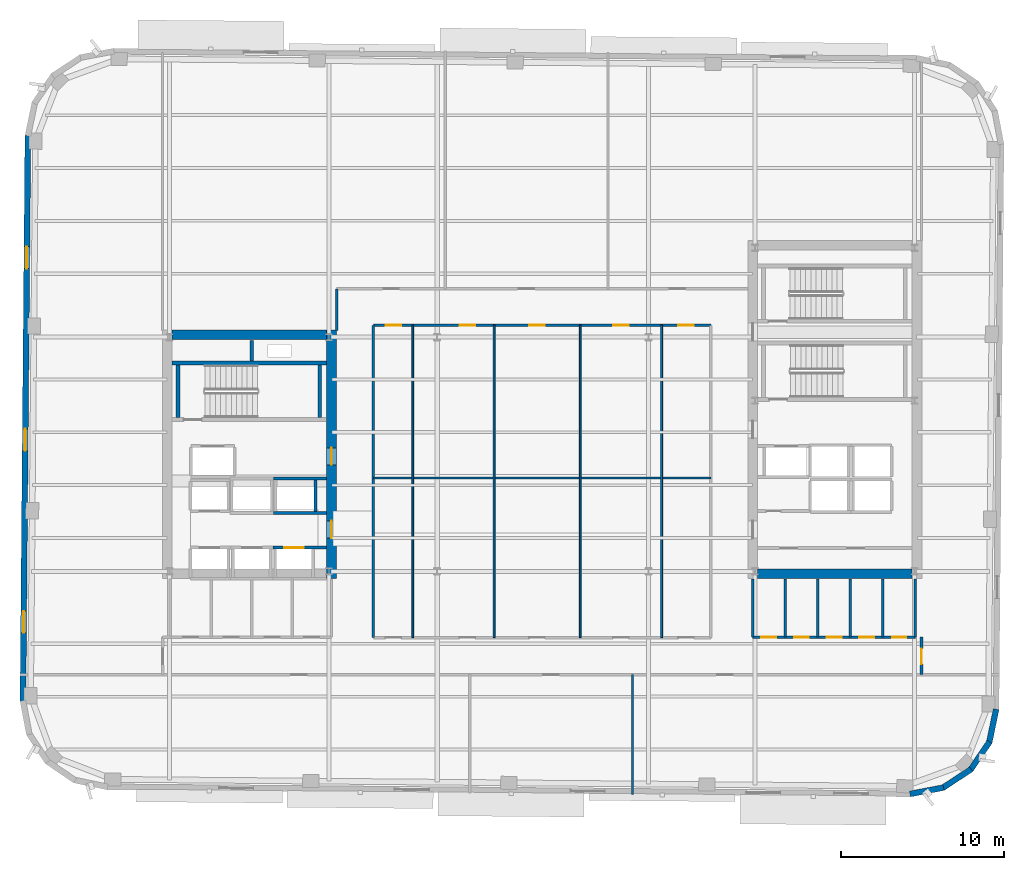
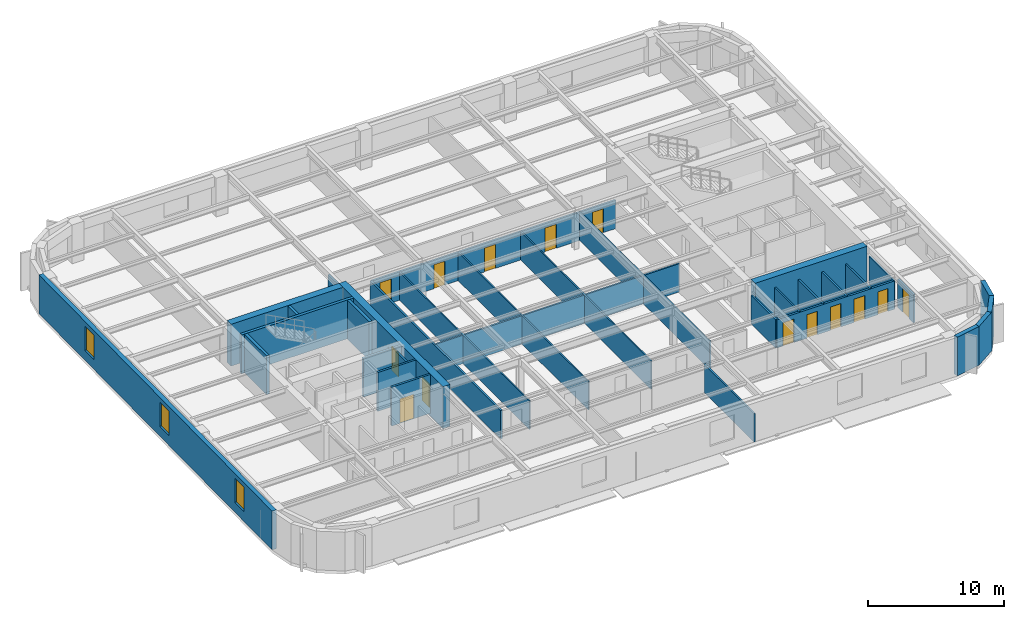
# One storey, part 5 of 12: 33 walls, 14 doors, 3 windows, 17 openings.
"""IFC4 building model written with IfcOpenShell, lengths in metres."""

from ifc_helpers import new_model, si_unit, direction, frame, frame_2d, origin, place, context, subcontext, project, spatial, rectangle, extrude, material, layer, layer_set, type_object, element, fill, save


model = new_model("IFC4")

# Units and contexts
model_context = context("Model", 3, precision=1e-05, world=origin(), true_north=direction((0.0, 1.0)))
body_context = subcontext(model_context, "Body", "Model", "MODEL_VIEW")
ifc_project = project(units=[si_unit("LENGTHUNIT", "METRE"), si_unit("AREAUNIT", "SQUARE_METRE"), si_unit("VOLUMEUNIT", "CUBIC_METRE"), si_unit("PLANEANGLEUNIT", "RADIAN"), si_unit("MASSUNIT", "GRAM", prefix="KILO")], contexts=[model_context])

# Site, building, storey
site_placement = place(None, origin())
site = spatial("IfcSite", under=ifc_project, at=site_placement, CompositionType="ELEMENT")
building_placement = place(site_placement, origin())
building = spatial("IfcBuilding", under=site, at=building_placement, Name="Kolvaren Arena Tower", CompositionType="ELEMENT")
storey_placement = place(building_placement, frame((0.0, 0.0, 165.949951171875)))
storey = spatial("IfcBuildingStorey", under=building, at=storey_placement, Name="L39", CompositionType="ELEMENT", Elevation=165.949951171875)

# Wall
ifc_material_1 = material(Name="Gypsum board acoustic assembly", Category="gypsum")
ifc_layer_1 = layer(ifc_material_1, 0.159912109375)
ifc_layer_set_1 = layer_set([ifc_layer_1], Name="Gypsum board acoustic assembly")
wall_type_1 = type_object("IfcWallType", Name="CORR-160", PredefinedType="PARTITIONING", material=ifc_layer_set_1)
wall_1_placement = place(storey_placement, frame((24.820068359375, 34.25, 0.0), z_axis=(0.0, 0.0, 1.0), x_axis=(0.0, 1.0, 0.0)))
element("IfcWall", 1, at=wall_1_placement, inside=storey, type_object=wall_type_1, Name="Interior Partition Wall (L39)", PredefinedType="PARTITIONING", context=body_context, shape_type="SweptSolid", body=[
    extrude(rectangle(XDim=2.570068359375, YDim=0.159912109375, at=frame_2d((1.28515625, 0.0))), origin(), (0.0, 0.0, 1.0), 2.5400390625),
])

# Wall, openings, doors
wall_2_placement = place(storey_placement, frame((27.080078125, 34.580078125, 0.0), z_axis=(0.0, 0.0, 1.0), x_axis=(1.0, 0.0, 0.0)))
wall_2 = element("IfcWall", 2, at=wall_2_placement, inside=storey, type_object=wall_type_1, Name="Interior Partition Wall (L39)", PredefinedType="PARTITIONING", context=body_context, shape_type="SweptSolid", body=[
    extrude(rectangle(XDim=20.739990234375, YDim=0.159912109375, at=frame_2d((10.3701171875, 0.0))), origin(), (0.0, 0.0, 1.0), 2.5400390625),
])
opening_1_placement = place(wall_2_placement, frame((0.7451171875, 0.0, 0.0)))
opening_1 = element("IfcOpeningElement", 3, at=opening_1_placement, cuts=wall_2, Name="Opening D05", PredefinedType="OPENING", context=body_context, shape_type="SweptSolid", body=[
    extrude(rectangle(XDim=0.949951171875, YDim=2.14990234375, at=frame_2d((0.47509765625, 1.074951171875))), frame((0.0, 0.08984375, 0.0), z_axis=(0.0, -1.0, 0.0), x_axis=(1.0, 0.0, 0.0)), (0.0, 0.0, 1.0), 0.179931640625),
])
opening_2_placement = place(wall_2_placement, frame((5.294921875, 0.0, 0.0)))
opening_2 = element("IfcOpeningElement", 4, at=opening_2_placement, cuts=wall_2, Name="Opening D05", PredefinedType="OPENING", context=body_context, shape_type="SweptSolid", body=[
    extrude(rectangle(XDim=0.949951171875, YDim=2.14990234375, at=frame_2d((0.47509765625, 1.074951171875))), frame((0.0, 0.08984375, 0.0), z_axis=(0.0, -1.0, 0.0), x_axis=(1.0, 0.0, 0.0)), (0.0, 0.0, 1.0), 0.179931640625),
])
opening_3_placement = place(wall_2_placement, frame((9.594970703125, 0.0, 0.0)))
opening_3 = element("IfcOpeningElement", 5, at=opening_3_placement, cuts=wall_2, Name="Opening D05", PredefinedType="OPENING", context=body_context, shape_type="SweptSolid", body=[
    extrude(rectangle(XDim=0.949951171875, YDim=2.14990234375, at=frame_2d((0.47509765625, 1.074951171875))), frame((0.0, 0.08984375, 0.0), z_axis=(0.0, -1.0, 0.0), x_axis=(1.0, 0.0, 0.0)), (0.0, 0.0, 1.0), 0.179931640625),
])
opening_4_placement = place(wall_2_placement, frame((14.7451171875, 0.0, 0.0)))
opening_4 = element("IfcOpeningElement", 6, at=opening_4_placement, cuts=wall_2, Name="Opening D05", PredefinedType="OPENING", context=body_context, shape_type="SweptSolid", body=[
    extrude(rectangle(XDim=0.949951171875, YDim=2.14990234375, at=frame_2d((0.47509765625, 1.074951171875))), frame((0.0, 0.08984375, 0.0), z_axis=(0.0, -1.0, 0.0), x_axis=(1.0, 0.0, 0.0)), (0.0, 0.0, 1.0), 0.179931640625),
])
opening_5_placement = place(wall_2_placement, frame((18.7451171875, 0.0, 0.0)))
opening_5 = element("IfcOpeningElement", 7, at=opening_5_placement, cuts=wall_2, Name="Opening D05", PredefinedType="OPENING", context=body_context, shape_type="SweptSolid", body=[
    extrude(rectangle(XDim=0.949951171875, YDim=2.14990234375, at=frame_2d((0.47509765625, 1.074951171875))), frame((0.0, 0.08984375, 0.0), z_axis=(0.0, -1.0, 0.0), x_axis=(1.0, 0.0, 0.0)), (0.0, 0.0, 1.0), 0.179931640625),
])
ifc_material_2 = material(Name="Solid-core oak acoustic office door", Category="wood")
door_type_1 = type_object("IfcDoorType", Name="DOOR-OF-095", OperationType="NOTDEFINED", PredefinedType="DOOR", material=ifc_material_2)
door_1_placement = place(opening_1_placement, origin())
door_1 = element("IfcDoor", 8, at=door_1_placement, inside=storey, type_object=door_type_1, Name="Design Studio Door (L39)", OperationType="SINGLE_SWING_LEFT", OverallHeight=2.14990234375, OverallWidth=0.949951171875, PredefinedType="DOOR", context=body_context, shape_type="SweptSolid", body=[
    extrude(rectangle(XDim=0.949951171875, YDim=2.14990234375, at=frame_2d((0.47509765625, 1.074951171875))), frame((0.0, 0.02490234375, 0.0), z_axis=(0.0, -1.0, 0.0), x_axis=(1.0, 0.0, 0.0)), (0.0, 0.0, 1.0), 0.050048828125),
])
fill(opening_1, door_1)
door_2_placement = place(opening_2_placement, origin())
door_2 = element("IfcDoor", 9, at=door_2_placement, inside=storey, type_object=door_type_1, Name="Design Studio Door (L39)", OperationType="SINGLE_SWING_LEFT", OverallHeight=2.14990234375, OverallWidth=0.949951171875, PredefinedType="DOOR", context=body_context, shape_type="SweptSolid", body=[
    extrude(rectangle(XDim=0.949951171875, YDim=2.14990234375, at=frame_2d((0.47509765625, 1.074951171875))), frame((0.0, 0.02490234375, 0.0), z_axis=(0.0, -1.0, 0.0), x_axis=(1.0, 0.0, 0.0)), (0.0, 0.0, 1.0), 0.050048828125),
])
fill(opening_2, door_2)
door_3_placement = place(opening_3_placement, origin())
door_3 = element("IfcDoor", 10, at=door_3_placement, inside=storey, type_object=door_type_1, Name="Boardroom Door (L39)", OperationType="SINGLE_SWING_LEFT", OverallHeight=2.14990234375, OverallWidth=0.949951171875, PredefinedType="DOOR", context=body_context, shape_type="SweptSolid", body=[
    extrude(rectangle(XDim=0.949951171875, YDim=2.14990234375, at=frame_2d((0.47509765625, 1.074951171875))), frame((0.0, 0.02490234375, 0.0), z_axis=(0.0, -1.0, 0.0), x_axis=(1.0, 0.0, 0.0)), (0.0, 0.0, 1.0), 0.050048828125),
])
fill(opening_3, door_3)
door_4_placement = place(opening_4_placement, origin())
door_4 = element("IfcDoor", 11, at=door_4_placement, inside=storey, type_object=door_type_1, Name="Design Studio Door (L39)", OperationType="SINGLE_SWING_LEFT", OverallHeight=2.14990234375, OverallWidth=0.949951171875, PredefinedType="DOOR", context=body_context, shape_type="SweptSolid", body=[
    extrude(rectangle(XDim=0.949951171875, YDim=2.14990234375, at=frame_2d((0.47509765625, 1.074951171875))), frame((0.0, 0.02490234375, 0.0), z_axis=(0.0, -1.0, 0.0), x_axis=(1.0, 0.0, 0.0)), (0.0, 0.0, 1.0), 0.050048828125),
])
fill(opening_4, door_4)
door_5_placement = place(opening_5_placement, origin())
door_5 = element("IfcDoor", 12, at=door_5_placement, inside=storey, type_object=door_type_1, Name="Design Studio Door (L39)", OperationType="SINGLE_SWING_LEFT", OverallHeight=2.14990234375, OverallWidth=0.949951171875, PredefinedType="DOOR", context=body_context, shape_type="SweptSolid", body=[
    extrude(rectangle(XDim=0.949951171875, YDim=2.14990234375, at=frame_2d((0.47509765625, 1.074951171875))), frame((0.0, 0.02490234375, 0.0), z_axis=(0.0, -1.0, 0.0), x_axis=(1.0, 0.0, 0.0)), (0.0, 0.0, 1.0), 0.050048828125),
])
fill(opening_5, door_5)

# Wall
wall_3_placement = place(storey_placement, frame((27.080078125, 15.3798828125, 0.0), z_axis=(0.0, 0.0, 1.0), x_axis=(0.0, 1.0, 0.0)))
element("IfcWall", 13, at=wall_3_placement, inside=storey, type_object=wall_type_1, Name="Interior Partition Wall (L39)", PredefinedType="PARTITIONING", context=body_context, shape_type="SweptSolid", body=[
    extrude(rectangle(XDim=19.2001953125, YDim=0.159912109375, at=frame_2d((9.60009765625, 0.0))), origin(), (0.0, 0.0, 1.0), 2.5400390625),
])

# Wall, opening, door
wall_4_placement = place(storey_placement, frame((60.780029296875, 13.10009765625, 0.0), z_axis=(0.0, 0.0, 1.0), x_axis=(0.0, 1.0, 0.0)))
wall_4 = element("IfcWall", 14, at=wall_4_placement, inside=storey, type_object=wall_type_1, Name="Interior Partition Wall (L39)", PredefinedType="PARTITIONING", context=body_context, shape_type="SweptSolid", body=[
    extrude(rectangle(XDim=2.2998046875, YDim=0.159912109375, at=frame_2d((1.14990234375, 0.0))), origin(), (0.0, 0.0, 1.0), 2.5400390625),
])
opening_6_placement = place(wall_4_placement, frame((0.64990234375, 0.0, 0.0)))
opening_6 = element("IfcOpeningElement", 15, at=opening_6_placement, cuts=wall_4, Name="Opening D05", PredefinedType="OPENING", context=body_context, shape_type="SweptSolid", body=[
    extrude(rectangle(XDim=0.949951171875, YDim=2.14990234375, at=frame_2d((0.47509765625, 1.074951171875))), frame((0.0, 0.08984375, 0.0), z_axis=(0.0, -1.0, 0.0), x_axis=(1.0, 0.0, 0.0)), (0.0, 0.0, 1.0), 0.179931640625),
])
door_6_placement = place(opening_6_placement, origin())
door_6 = element("IfcDoor", 16, at=door_6_placement, inside=storey, type_object=door_type_1, Name="East Wing Studio Door (L39)", OperationType="SINGLE_SWING_RIGHT", OverallHeight=2.14990234375, OverallWidth=0.949951171875, PredefinedType="DOOR", context=body_context, shape_type="SweptSolid", body=[
    extrude(rectangle(XDim=0.949951171875, YDim=2.14990234375, at=frame_2d((0.47509765625, 1.074951171875))), frame((0.0, 0.02490234375, 0.0), z_axis=(0.0, -1.0, 0.0), x_axis=(1.0, 0.0, 0.0)), (0.0, 0.0, 1.0), 0.050048828125),
])
fill(opening_6, door_6)

# Wall, openings, doors
ifc_material_3 = material(Name="Concrete 60 MPa", Category="concrete")
ifc_layer_2 = layer(ifc_material_3, 0.60009765625)
ifc_layer_set_2 = layer_set([ifc_layer_2], Name="Concrete 60 MPa")
wall_type_2 = type_object("IfcWallType", Name="CWALL-600", PredefinedType="SHEAR", material=ifc_layer_set_2)
wall_5_placement = place(storey_placement, frame((24.5, 19.0, -0.27001953125), z_axis=(0.0, 0.0, 1.0), x_axis=(0.0, 1.0, 0.0)))
wall_5 = element("IfcWall", 17, at=wall_5_placement, inside=storey, type_object=wall_type_2, Name="Core Shear Wall WC-EAST (L39)", PredefinedType="SHEAR", context=body_context, shape_type="SweptSolid", body=[
    extrude(rectangle(XDim=15.300048828125, YDim=0.60009765625, at=frame_2d((7.64990234375, 0.0))), origin(), (0.0, 0.0, 1.0), 3.75),
])
opening_7_placement = place(wall_5_placement, frame((2.5, 0.0, 0.27001953125)))
opening_7 = element("IfcOpeningElement", 18, at=opening_7_placement, cuts=wall_5, Name="Opening D04", PredefinedType="OPENING", context=body_context, shape_type="SweptSolid", body=[
    extrude(rectangle(XDim=1.050048828125, YDim=2.14990234375, at=frame_2d((0.52490234375, 1.074951171875))), frame((0.0, 0.31005859375, 0.0), z_axis=(0.0, -1.0, 0.0), x_axis=(1.0, 0.0, 0.0)), (0.0, 0.0, 1.0), 0.6201171875),
])
opening_8_placement = place(wall_5_placement, frame((7.0, 0.0, 0.27001953125)))
opening_8 = element("IfcOpeningElement", 19, at=opening_8_placement, cuts=wall_5, Name="Opening D04", PredefinedType="OPENING", context=body_context, shape_type="SweptSolid", body=[
    extrude(rectangle(XDim=1.050048828125, YDim=2.14990234375, at=frame_2d((0.52490234375, 1.074951171875))), frame((0.0, 0.31005859375, 0.0), z_axis=(0.0, -1.0, 0.0), x_axis=(1.0, 0.0, 0.0)), (0.0, 0.0, 1.0), 0.6201171875),
])
ifc_material_4 = material(Name="Fire-rated steel lobby door", Category="steel")
door_type_2 = type_object("IfcDoorType", Name="DOOR-FF-105", OperationType="NOTDEFINED", PredefinedType="DOOR", material=ifc_material_4)
door_7_placement = place(opening_7_placement, origin())
door_7 = element("IfcDoor", 20, at=door_7_placement, inside=storey, type_object=door_type_2, Name="West Lift Lobby Fire Door (L39)", OperationType="SINGLE_SWING_LEFT", OverallHeight=2.14990234375, OverallWidth=1.050048828125, PredefinedType="DOOR", context=body_context, shape_type="SweptSolid", body=[
    extrude(rectangle(XDim=1.050048828125, YDim=2.14990234375, at=frame_2d((0.52490234375, 1.074951171875))), frame((0.0, 0.02490234375, 0.0), z_axis=(0.0, -1.0, 0.0), x_axis=(1.0, 0.0, 0.0)), (0.0, 0.0, 1.0), 0.050048828125),
])
fill(opening_7, door_7)
door_8_placement = place(opening_8_placement, origin())
door_8 = element("IfcDoor", 21, at=door_8_placement, inside=storey, type_object=door_type_2, Name="West Firefighter Vestibule Door (L39)", OperationType="SINGLE_SWING_RIGHT", OverallHeight=2.14990234375, OverallWidth=1.050048828125, PredefinedType="DOOR", context=body_context, shape_type="SweptSolid", body=[
    extrude(rectangle(XDim=1.050048828125, YDim=2.14990234375, at=frame_2d((0.52490234375, 1.074951171875))), frame((0.0, 0.02490234375, 0.0), z_axis=(0.0, -1.0, 0.0), x_axis=(1.0, 0.0, 0.0)), (0.0, 0.0, 1.0), 0.050048828125),
])
fill(opening_8, door_8)

# Walls
for number, where, z_axis, x_axis, name in (
    (22, (14.699951171875, 34.0, -0.27001953125), (0.0, 0.0, 1.0), (1.0, 0.0, 0.0), "Core Shear Wall WC-NORTH (L39)"),
    (23, (50.699951171875, 19.300048828125, -0.27001953125), (0.0, 0.0, 1.0), (1.0, 0.0, 0.0), "Core Shear Wall EC-SOUTH (L39)"),
):
    element("IfcWall", number, at=place(storey_placement, frame(where, z_axis=z_axis, x_axis=x_axis)), inside=storey, type_object=wall_type_2, Name=name, PredefinedType="SHEAR", context=body_context, shape_type="SweptSolid", body=[
        extrude(rectangle(XDim=9.5, YDim=0.60009765625, at=frame_2d((4.75, 0.0))), origin(), (0.0, 0.0, 1.0), 3.75),
    ])
ifc_material_5 = material(Name="Precast concrete C50/60", Category="concrete")
ifc_layer_3 = layer(ifc_material_5, 0.360107421875)
ifc_layer_set_3 = layer_set([ifc_layer_3], Name="Precast concrete C50/60")
wall_type_3 = type_object("IfcWallType", Name="EXT-PIER2", PredefinedType="SOLIDWALL", material=ifc_layer_set_3)
wall_6_placement = place(storey_placement, frame((62.136474609375, 6.155029296875, 0.0), z_axis=(0.0, 0.0, 1.0), x_axis=(-0.98246713518, -0.186435855703, 0.0)))
element("IfcWall", 24, at=wall_6_placement, inside=storey, type_object=wall_type_3, Name="Exterior Precast Masonry-Frame Wall (L39)", PredefinedType="SOLIDWALL", context=body_context, shape_type="SweptSolid", body=[
    extrude(rectangle(XDim=2.10693359375, YDim=0.360107421875, at=frame_2d((1.053466796875, 0.0))), origin(), (0.0, 0.0, 1.0), 3.47998046875),
])
wall_7_placement = place(storey_placement, frame((63.83349609375, 7.2841796875, 0.0), z_axis=(0.0, 0.0, 1.0), x_axis=(-0.836303589916, -0.548266637224, 0.0)))
element("IfcWall", 25, at=wall_7_placement, inside=storey, type_object=wall_type_3, Name="Exterior Precast Masonry-Frame Wall (L39)", PredefinedType="SOLIDWALL", context=body_context, shape_type="SweptSolid", body=[
    extrude(rectangle(XDim=2.107177734375, YDim=0.360107421875, at=frame_2d((1.0537109375, 0.0))), origin(), (0.0, 0.0, 1.0), 3.47998046875),
])
for number, where, z_axis, x_axis, name in (
    (26, (64.968994140625, 8.9765625, 0.0), (0.0, 0.0, 1.0), (-0.56277581689, -0.826609569219, 0.0), "Exterior Precast Masonry-Frame Wall (L39)"),
    (27, (65.370849609375, 10.974609375, 0.0), (0.0, 0.0, 1.0), (-0.203709000552, -0.979031482177, 0.0), "Exterior Precast Masonry-Frame Wall (L39)"),
):
    element("IfcWall", number, at=place(storey_placement, frame(where, z_axis=z_axis, x_axis=x_axis)), inside=storey, type_object=wall_type_3, Name=name, PredefinedType="SOLIDWALL", context=body_context, shape_type="SweptSolid", body=[
        extrude(rectangle(XDim=2.10693359375, YDim=0.360107421875, at=frame_2d((1.053466796875, 0.0))), origin(), (0.0, 0.0, 1.0), 3.47998046875),
    ])

# Wall, openings, windows
wall_8_placement = place(storey_placement, frame((5.529296875, 11.461669921875, 0.0), z_axis=(0.0, 0.0, 1.0), x_axis=(0.008727287311, 0.999961916503, 0.0)))
wall_8 = element("IfcWall", 28, at=wall_8_placement, inside=storey, type_object=wall_type_3, Name="Exterior Precast Masonry-Frame Wall (L39)", PredefinedType="SOLIDWALL", context=body_context, shape_type="SweptSolid", body=[
    extrude(rectangle(XDim=34.800048828125, YDim=0.360107421875, at=frame_2d((17.39990234375, 0.0))), origin(), (0.0, 0.0, 1.0), 3.47998046875),
])
opening_9_placement = place(wall_8_placement, frame((4.199951171875, 0.0, 0.8798828125)))
opening_9 = element("IfcOpeningElement", 29, at=opening_9_placement, cuts=wall_8, Name="Opening W04", PredefinedType="OPENING", context=body_context, shape_type="SweptSolid", body=[
    extrude(rectangle(XDim=1.35009765625, YDim=2.199951171875, at=frame_2d((0.675048828125, 1.10009765625))), frame((0.0, 0.18994140625, 0.0), z_axis=(0.0, -1.0, 0.0), x_axis=(1.0, 0.0, 0.0)), (0.0, 0.0, 1.0), 0.380126953125),
])
opening_10_placement = place(wall_8_placement, frame((15.39990234375, 0.0, 0.8798828125)))
opening_10 = element("IfcOpeningElement", 30, at=opening_10_placement, cuts=wall_8, Name="Opening W04", PredefinedType="OPENING", context=body_context, shape_type="SweptSolid", body=[
    extrude(rectangle(XDim=1.35009765625, YDim=2.199951171875, at=frame_2d((0.675048828125, 1.10009765625))), frame((0.0, 0.18994140625, 0.0), z_axis=(0.0, -1.0, 0.0), x_axis=(1.0, 0.0, 0.0)), (0.0, 0.0, 1.0), 0.380126953125),
])
opening_11_placement = place(wall_8_placement, frame((26.60009765625, 0.0, 0.8798828125)))
opening_11 = element("IfcOpeningElement", 31, at=opening_11_placement, cuts=wall_8, Name="Opening W04", PredefinedType="OPENING", context=body_context, shape_type="SweptSolid", body=[
    extrude(rectangle(XDim=1.35009765625, YDim=2.199951171875, at=frame_2d((0.675048828125, 1.10009765625))), frame((0.0, 0.18994140625, 0.0), z_axis=(0.0, -1.0, 0.0), x_axis=(1.0, 0.0, 0.0)), (0.0, 0.0, 1.0), 0.380126953125),
])
ifc_material_6 = material(Name="Triple-glazed curved-facet corner window", Category="glass")
window_type = type_object("IfcWindowType", Name="WIN-CRN-A", PartitioningType="SINGLE_PANEL", PredefinedType="WINDOW", material=ifc_material_6)
window_1_placement = place(opening_9_placement, origin())
window_1 = element("IfcWindow", 32, at=window_1_placement, inside=storey, type_object=window_type, Name="End-Wall Punched Window (L39)", OverallHeight=2.199951171875, OverallWidth=1.35009765625, PartitioningType="SINGLE_PANEL", PredefinedType="WINDOW", context=body_context, shape_type="SweptSolid", body=[
    extrude(rectangle(XDim=1.35009765625, YDim=2.199951171875, at=frame_2d((0.675048828125, 1.10009765625))), frame((0.0, 0.030029296875, 0.0), z_axis=(0.0, -1.0, 0.0), x_axis=(1.0, 0.0, 0.0)), (0.0, 0.0, 1.0), 0.06005859375),
])
fill(opening_9, window_1)
window_2_placement = place(opening_10_placement, origin())
window_2 = element("IfcWindow", 33, at=window_2_placement, inside=storey, type_object=window_type, Name="End-Wall Punched Window (L39)", OverallHeight=2.199951171875, OverallWidth=1.35009765625, PartitioningType="SINGLE_PANEL", PredefinedType="WINDOW", context=body_context, shape_type="SweptSolid", body=[
    extrude(rectangle(XDim=1.35009765625, YDim=2.199951171875, at=frame_2d((0.675048828125, 1.10009765625))), frame((0.0, 0.030029296875, 0.0), z_axis=(0.0, -1.0, 0.0), x_axis=(1.0, 0.0, 0.0)), (0.0, 0.0, 1.0), 0.06005859375),
])
fill(opening_10, window_2)
window_3_placement = place(opening_11_placement, origin())
window_3 = element("IfcWindow", 34, at=window_3_placement, inside=storey, type_object=window_type, Name="End-Wall Punched Window (L39)", OverallHeight=2.199951171875, OverallWidth=1.35009765625, PartitioningType="SINGLE_PANEL", PredefinedType="WINDOW", context=body_context, shape_type="SweptSolid", body=[
    extrude(rectangle(XDim=1.35009765625, YDim=2.199951171875, at=frame_2d((0.675048828125, 1.10009765625))), frame((0.0, 0.030029296875, 0.0), z_axis=(0.0, -1.0, 0.0), x_axis=(1.0, 0.0, 0.0)), (0.0, 0.0, 1.0), 0.06005859375),
])
fill(opening_11, window_3)

# Walls
ifc_material_7 = material(Name="Gypsum board partition assembly", Category="gypsum")
ifc_layer_4 = layer(ifc_material_7, 0.114990234375)
ifc_layer_set_4 = layer_set([ifc_layer_4], Name="Gypsum board partition assembly")
wall_type_4 = type_object("IfcWallType", Name="PART-115", PredefinedType="PARTITIONING", material=ifc_layer_set_4)
for number, where, z_axis, x_axis, name in (
    (35, (29.5, 15.3798828125, 0.0), (0.0, 0.0, 1.0), (0.0, 1.0, 0.0), "Interior Partition Wall (L39)"),
    (36, (34.5, 15.3798828125, 0.0), (0.0, 0.0, 1.0), (0.0, 1.0, 0.0), "Interior Partition Wall (L39)"),
    (37, (39.800048828125, 15.3798828125, 0.0), (0.0, 0.0, 1.0), (0.0, 1.0, 0.0), "Interior Partition Wall (L39)"),
    (38, (44.800048828125, 15.3798828125, 0.0), (0.0, 0.0, 1.0), (0.0, 1.0, 0.0), "Interior Partition Wall (L39)"),
):
    element("IfcWall", number, at=place(storey_placement, frame(where, z_axis=z_axis, x_axis=x_axis)), inside=storey, type_object=wall_type_4, Name=name, PredefinedType="PARTITIONING", context=body_context, shape_type="SweptSolid", body=[
        extrude(rectangle(XDim=19.2001953125, YDim=0.114990234375, at=frame_2d((9.60009765625, 0.0))), origin(), (0.0, 0.0, 1.0), 2.5400390625),
    ])
ifc_layer_5 = layer(ifc_material_7, 0.135009765625)
ifc_layer_set_5 = layer_set([ifc_layer_5], Name="Gypsum board partition assembly")
wall_type_5 = type_object("IfcWallType", Name="PART-135", PredefinedType="PARTITIONING", material=ifc_layer_set_5)
wall_9_placement = place(storey_placement, frame((43.0, 5.734619140625, 0.0), z_axis=(0.0, 0.0, 1.0), x_axis=(0.0, 1.0, 0.0)))
element("IfcWall", 39, at=wall_9_placement, inside=storey, type_object=wall_type_5, Name="Interior Partition Wall (L39)", PredefinedType="PARTITIONING", context=body_context, shape_type="SweptSolid", body=[
    extrude(rectangle(XDim=7.365478515625, YDim=0.135009765625, at=frame_2d((3.6826171875, 0.0))), origin(), (0.0, 0.0, 1.0), 2.5400390625),
])
wall_10_placement = place(storey_placement, frame((27.080078125, 25.199951171875, 0.0), z_axis=(0.0, 0.0, 1.0), x_axis=(1.0, 0.0, 0.0)))
element("IfcWall", 40, at=wall_10_placement, inside=storey, type_object=wall_type_5, Name="Interior Partition Wall (L39)", PredefinedType="PARTITIONING", context=body_context, shape_type="SweptSolid", body=[
    extrude(rectangle(XDim=20.739990234375, YDim=0.135009765625, at=frame_2d((10.3701171875, 0.0))), origin(), (0.0, 0.0, 1.0), 2.5400390625),
])
ifc_material_8 = material(Name="Concrete 45 MPa", Category="concrete")
ifc_layer_6 = layer(ifc_material_8, 0.25)
ifc_layer_set_6 = layer_set([ifc_layer_6], Name="Concrete 45 MPa")
wall_type_6 = type_object("IfcWallType", Name="SHAFT-250", PredefinedType="SOLIDWALL", material=ifc_layer_set_6)
wall_11_placement = place(storey_placement, frame((14.699951171875, 32.25, 0.0), z_axis=(0.0, 0.0, 1.0), x_axis=(1.0, 0.0, 0.0)))
element("IfcWall", 41, at=wall_11_placement, inside=storey, type_object=wall_type_6, Name="Core Shaft Wall (L39)", PredefinedType="SOLIDWALL", context=body_context, shape_type="SweptSolid", body=[
    extrude(rectangle(XDim=9.5, YDim=0.239990234375, at=frame_2d((4.75, 0.0))), origin(), (0.0, 0.0, 1.0), 3.47998046875),
])
for number, where, z_axis, x_axis, name in (
    (42, (15.06005859375, 28.89990234375, 0.0), (0.0, 0.0, 1.0), (0.0, 1.0, 0.0), "Core Shaft Wall (L39)"),
    (43, (23.780029296875, 28.89990234375, 0.0), (0.0, 0.0, 1.0), (0.0, 1.0, 0.0), "Core Shaft Wall (L39)"),
):
    element("IfcWall", number, at=place(storey_placement, frame(where, z_axis=z_axis, x_axis=x_axis)), inside=storey, type_object=wall_type_6, Name=name, PredefinedType="SOLIDWALL", context=body_context, shape_type="SweptSolid", body=[
        extrude(rectangle(XDim=3.22998046875, YDim=0.239990234375, at=frame_2d((1.614990234375, 0.0))), origin(), (0.0, 0.0, 1.0), 3.47998046875),
    ])
wall_12_placement = place(storey_placement, frame((19.60009765625, 32.3701171875, 0.0), z_axis=(0.0, 0.0, 1.0), x_axis=(0.0, 1.0, 0.0)))
element("IfcWall", 44, at=wall_12_placement, inside=storey, type_object=wall_type_6, Name="Core Shaft Wall (L39)", PredefinedType="SOLIDWALL", context=body_context, shape_type="SweptSolid", body=[
    extrude(rectangle(XDim=1.27978515625, YDim=0.199951171875, at=frame_2d((0.639892578125, 0.0))), origin(), (0.0, 0.0, 1.0), 3.47998046875),
])

# Wall, opening, door
wall_13_placement = place(storey_placement, frame((20.89990234375, 20.905029296875, 0.0), z_axis=(0.0, 0.0, 1.0), x_axis=(1.0, 0.0, 0.0)))
wall_13 = element("IfcWall", 45, at=wall_13_placement, inside=storey, type_object=wall_type_6, Name="Core Shaft Wall (L39)", PredefinedType="SOLIDWALL", context=body_context, shape_type="SweptSolid", body=[
    extrude(rectangle(XDim=3.300048828125, YDim=0.179931640625, at=frame_2d((1.64990234375, 0.0))), origin(), (0.0, 0.0, 1.0), 3.47998046875),
])
opening_12_placement = place(wall_13_placement, frame((0.699951171875, 0.0, 0.0)))
opening_12 = element("IfcOpeningElement", 46, at=opening_12_placement, cuts=wall_13, Name="Opening LD1", PredefinedType="OPENING", context=body_context, shape_type="SweptSolid", body=[
    extrude(rectangle(XDim=1.199951171875, YDim=2.199951171875, at=frame_2d((0.60009765625, 1.10009765625))), frame((0.0, 0.099853515625, 0.0), z_axis=(0.0, -1.0, 0.0), x_axis=(1.0, 0.0, 0.0)), (0.0, 0.0, 1.0), 0.199951171875),
])
ifc_material_9 = material(Name="Stainless steel passenger lift landing door", Category="steel")
door_type_3 = type_object("IfcDoorType", Name="DOOR-LD-120", OperationType="DOUBLE_DOOR_SLIDING", PredefinedType="DOOR", material=ifc_material_9)
door_9_placement = place(opening_12_placement, origin())
door_9 = element("IfcDoor", 47, at=door_9_placement, inside=storey, type_object=door_type_3, Name="Lift EL-MR3 Landing Door (L39)", OperationType="DOUBLE_DOOR_SLIDING", OverallHeight=2.199951171875, OverallWidth=1.199951171875, PredefinedType="DOOR", context=body_context, shape_type="SweptSolid", body=[
    extrude(rectangle(XDim=1.199951171875, YDim=2.199951171875, at=frame_2d((0.60009765625, 1.10009765625))), frame((0.0, 0.02490234375, 0.0), z_axis=(0.0, -1.0, 0.0), x_axis=(1.0, 0.0, 0.0)), (0.0, 0.0, 1.0), 0.050048828125),
])
fill(opening_12, door_9)

# Walls
for number, where, z_axis, x_axis, name in (
    (48, (20.949951171875, 25.155029296875, 0.0), (0.0, 0.0, 1.0), (1.0, 0.0, 0.0), "Core Shaft Wall (L39)"),
    (49, (20.949951171875, 23.044921875, 0.0), (0.0, 0.0, 1.0), (1.0, 0.0, 0.0), "Core Shaft Wall (L39)"),
):
    element("IfcWall", number, at=place(storey_placement, frame(where, z_axis=z_axis, x_axis=x_axis)), inside=storey, type_object=wall_type_6, Name=name, PredefinedType="SOLIDWALL", context=body_context, shape_type="SweptSolid", body=[
        extrude(rectangle(XDim=3.25, YDim=0.179931640625, at=frame_2d((1.625, 0.0))), origin(), (0.0, 0.0, 1.0), 3.47998046875),
    ])
wall_14_placement = place(storey_placement, frame((23.530029296875, 23.135009765625, 0.0), z_axis=(0.0, 0.0, 1.0), x_axis=(0.0, 1.0, 0.0)))
element("IfcWall", 50, at=wall_14_placement, inside=storey, type_object=wall_type_6, Name="Core Shaft Wall (L39)", PredefinedType="SOLIDWALL", context=body_context, shape_type="SweptSolid", body=[
    extrude(rectangle(XDim=1.929931640625, YDim=0.179931640625, at=frame_2d((0.96484375, 0.0))), origin(), (0.0, 0.0, 1.0), 3.47998046875),
])

# Wall, openings, doors
wall_15_placement = place(storey_placement, frame((50.39990234375, 15.39990234375, 0.0), z_axis=(0.0, 0.0, 1.0), x_axis=(1.0, 0.0, 0.0)))
wall_15 = element("IfcWall", 51, at=wall_15_placement, inside=storey, type_object=wall_type_6, Name="Interior Partition Wall (L39)", PredefinedType="SOLIDWALL", context=body_context, shape_type="SweptSolid", body=[
    extrude(rectangle(XDim=10.0, YDim=0.179931640625, at=frame_2d((5.0, 0.0))), origin(), (0.0, 0.0, 1.0), 2.5400390625),
])
opening_13_placement = place(wall_15_placement, frame((0.5400390625, 0.0, 0.0)))
opening_13 = element("IfcOpeningElement", 52, at=opening_13_placement, cuts=wall_15, Name="Opening D07", PredefinedType="OPENING", context=body_context, shape_type="SweptSolid", body=[
    extrude(rectangle(XDim=0.919921875, YDim=2.10009765625, at=frame_2d((0.4599609375, 1.050048828125))), frame((0.0, 0.099853515625, 0.0), z_axis=(0.0, -1.0, 0.0), x_axis=(1.0, 0.0, 0.0)), (0.0, 0.0, 1.0), 0.199951171875),
])
opening_14_placement = place(wall_15_placement, frame((2.5400390625, 0.0, 0.0)))
opening_14 = element("IfcOpeningElement", 53, at=opening_14_placement, cuts=wall_15, Name="Opening D07", PredefinedType="OPENING", context=body_context, shape_type="SweptSolid", body=[
    extrude(rectangle(XDim=0.919921875, YDim=2.10009765625, at=frame_2d((0.4599609375, 1.050048828125))), frame((0.0, 0.099853515625, 0.0), z_axis=(0.0, -1.0, 0.0), x_axis=(1.0, 0.0, 0.0)), (0.0, 0.0, 1.0), 0.199951171875),
])
opening_15_placement = place(wall_15_placement, frame((4.5400390625, 0.0, 0.0)))
opening_15 = element("IfcOpeningElement", 54, at=opening_15_placement, cuts=wall_15, Name="Opening D07", PredefinedType="OPENING", context=body_context, shape_type="SweptSolid", body=[
    extrude(rectangle(XDim=0.919921875, YDim=2.10009765625, at=frame_2d((0.4599609375, 1.050048828125))), frame((0.0, 0.099853515625, 0.0), z_axis=(0.0, -1.0, 0.0), x_axis=(1.0, 0.0, 0.0)), (0.0, 0.0, 1.0), 0.199951171875),
])
opening_16_placement = place(wall_15_placement, frame((6.5400390625, 0.0, 0.0)))
opening_16 = element("IfcOpeningElement", 55, at=opening_16_placement, cuts=wall_15, Name="Opening D07", PredefinedType="OPENING", context=body_context, shape_type="SweptSolid", body=[
    extrude(rectangle(XDim=0.919921875, YDim=2.10009765625, at=frame_2d((0.4599609375, 1.050048828125))), frame((0.0, 0.099853515625, 0.0), z_axis=(0.0, -1.0, 0.0), x_axis=(1.0, 0.0, 0.0)), (0.0, 0.0, 1.0), 0.199951171875),
])
opening_17_placement = place(wall_15_placement, frame((8.570068359375, 0.0, 0.0)))
opening_17 = element("IfcOpeningElement", 56, at=opening_17_placement, cuts=wall_15, Name="Opening D09", PredefinedType="OPENING", context=body_context, shape_type="SweptSolid", body=[
    extrude(rectangle(XDim=0.860107421875, YDim=2.050048828125, at=frame_2d((0.43017578125, 1.02490234375))), frame((0.0, 0.099853515625, 0.0), z_axis=(0.0, -1.0, 0.0), x_axis=(1.0, 0.0, 0.0)), (0.0, 0.0, 1.0), 0.199951171875),
])
ifc_material_10 = material(Name="Fire-rated steel riser access door", Category="steel")
door_type_4 = type_object("IfcDoorType", Name="DOOR-RS-086", OperationType="NOTDEFINED", PredefinedType="DOOR", material=ifc_material_10)
door_10_placement = place(opening_17_placement, origin())
door_10 = element("IfcDoor", 57, at=door_10_placement, inside=storey, type_object=door_type_4, Name="Telecom Riser Closet Door (L39)", OperationType="SINGLE_SWING_LEFT", OverallHeight=2.050048828125, OverallWidth=0.860107421875, PredefinedType="DOOR", context=body_context, shape_type="SweptSolid", body=[
    extrude(rectangle(XDim=0.860107421875, YDim=2.050048828125, at=frame_2d((0.43017578125, 1.02490234375))), frame((0.0, 0.02490234375, 0.0), z_axis=(0.0, -1.0, 0.0), x_axis=(1.0, 0.0, 0.0)), (0.0, 0.0, 1.0), 0.050048828125),
])
fill(opening_17, door_10)
ifc_material_11 = material(Name="Laminate universal washroom door", Category="wood")
door_type_5 = type_object("IfcDoorType", Name="DOOR-WC-092", OperationType="NOTDEFINED", PredefinedType="DOOR", material=ifc_material_11)
door_11_placement = place(opening_13_placement, origin())
door_11 = element("IfcDoor", 58, at=door_11_placement, inside=storey, type_object=door_type_5, Name="First Aid Store Door (L39)", OperationType="SINGLE_SWING_LEFT", OverallHeight=2.10009765625, OverallWidth=0.919921875, PredefinedType="DOOR", context=body_context, shape_type="SweptSolid", body=[
    extrude(rectangle(XDim=0.919921875, YDim=2.10009765625, at=frame_2d((0.4599609375, 1.050048828125))), frame((0.0, 0.02490234375, 0.0), z_axis=(0.0, -1.0, 0.0), x_axis=(1.0, 0.0, 0.0)), (0.0, 0.0, 1.0), 0.050048828125),
])
fill(opening_13, door_11)
door_12_placement = place(opening_14_placement, origin())
door_12 = element("IfcDoor", 59, at=door_12_placement, inside=storey, type_object=door_type_5, Name="Cleaner and Janitor Store Door (L39)", OperationType="SINGLE_SWING_RIGHT", OverallHeight=2.10009765625, OverallWidth=0.919921875, PredefinedType="DOOR", context=body_context, shape_type="SweptSolid", body=[
    extrude(rectangle(XDim=0.919921875, YDim=2.10009765625, at=frame_2d((0.4599609375, 1.050048828125))), frame((0.0, 0.02490234375, 0.0), z_axis=(0.0, -1.0, 0.0), x_axis=(1.0, 0.0, 0.0)), (0.0, 0.0, 1.0), 0.050048828125),
])
fill(opening_14, door_12)
door_13_placement = place(opening_15_placement, origin())
door_13 = element("IfcDoor", 60, at=door_13_placement, inside=storey, type_object=door_type_5, Name="Staff Pantry Door (L39)", OperationType="SINGLE_SWING_LEFT", OverallHeight=2.10009765625, OverallWidth=0.919921875, PredefinedType="DOOR", context=body_context, shape_type="SweptSolid", body=[
    extrude(rectangle(XDim=0.919921875, YDim=2.10009765625, at=frame_2d((0.4599609375, 1.050048828125))), frame((0.0, 0.02490234375, 0.0), z_axis=(0.0, -1.0, 0.0), x_axis=(1.0, 0.0, 0.0)), (0.0, 0.0, 1.0), 0.050048828125),
])
fill(opening_15, door_13)
door_14_placement = place(opening_16_placement, origin())
door_14 = element("IfcDoor", 61, at=door_14_placement, inside=storey, type_object=door_type_5, Name="Gender-Neutral Washroom Door (L39)", OperationType="SINGLE_SWING_RIGHT", OverallHeight=2.10009765625, OverallWidth=0.919921875, PredefinedType="DOOR", context=body_context, shape_type="SweptSolid", body=[
    extrude(rectangle(XDim=0.919921875, YDim=2.10009765625, at=frame_2d((0.4599609375, 1.050048828125))), frame((0.0, 0.02490234375, 0.0), z_axis=(0.0, -1.0, 0.0), x_axis=(1.0, 0.0, 0.0)), (0.0, 0.0, 1.0), 0.050048828125),
])
fill(opening_16, door_14)

# Walls
ifc_material_12 = material(Name="Moisture-resistant gypsum assembly", Category="gypsum")
ifc_layer_7 = layer(ifc_material_12, 0.14990234375)
ifc_layer_set_7 = layer_set([ifc_layer_7], Name="Moisture-resistant gypsum assembly")
wall_type_7 = type_object("IfcWallType", Name="WETW-150", PredefinedType="PARTITIONING", material=ifc_layer_set_7)
for number, where, z_axis, x_axis, name in (
    (62, (52.39990234375, 15.39990234375, 0.0), (0.0, 0.0, 1.0), (0.0, 1.0, 0.0), "Interior Partition Wall (L39)"),
    (63, (54.39990234375, 15.39990234375, 0.0), (0.0, 0.0, 1.0), (0.0, 1.0, 0.0), "Interior Partition Wall (L39)"),
    (64, (56.39990234375, 15.39990234375, 0.0), (0.0, 0.0, 1.0), (0.0, 1.0, 0.0), "Interior Partition Wall (L39)"),
    (65, (58.39990234375, 15.39990234375, 0.0), (0.0, 0.0, 1.0), (0.0, 1.0, 0.0), "Interior Partition Wall (L39)"),
    (66, (50.39990234375, 15.39990234375, 0.0), (0.0, 0.0, 1.0), (0.0, 1.0, 0.0), "Interior Partition Wall (L39)"),
    (67, (60.39990234375, 15.39990234375, 0.0), (0.0, 0.0, 1.0), (0.0, 1.0, 0.0), "Interior Partition Wall (L39)"),
):
    element("IfcWall", number, at=place(storey_placement, frame(where, z_axis=z_axis, x_axis=x_axis)), inside=storey, type_object=wall_type_7, Name=name, PredefinedType="PARTITIONING", context=body_context, shape_type="SweptSolid", body=[
        extrude(rectangle(XDim=3.580078125, YDim=0.14990234375, at=frame_2d((1.7900390625, 0.0))), origin(), (0.0, 0.0, 1.0), 2.5400390625),
    ])

save(model, "model.ifc")
